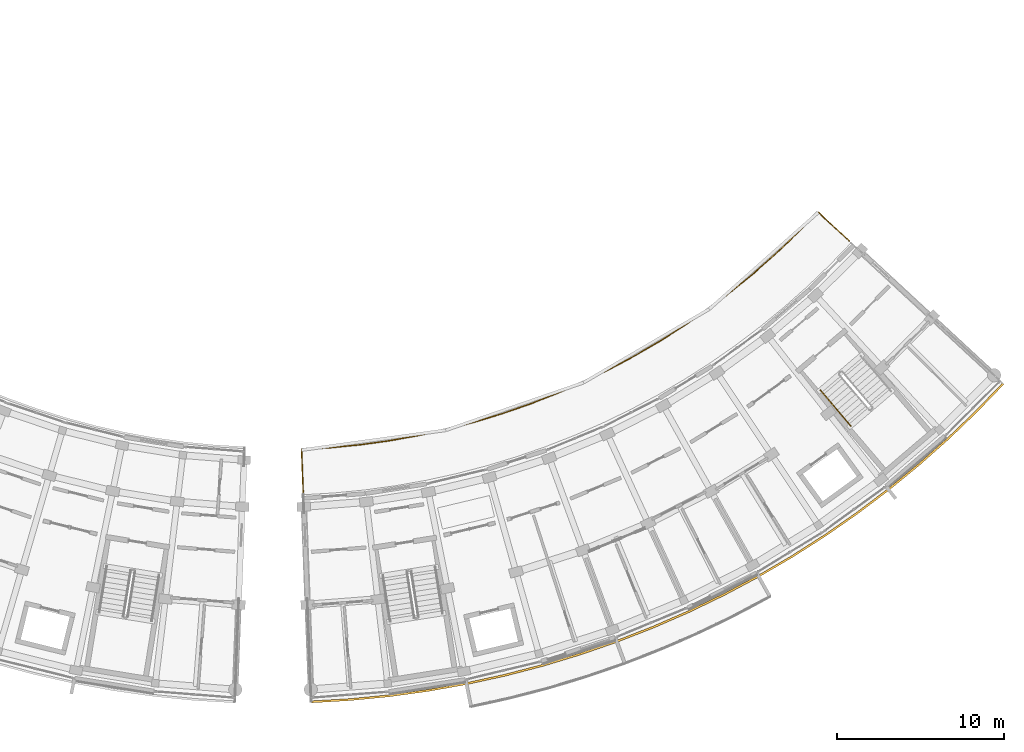
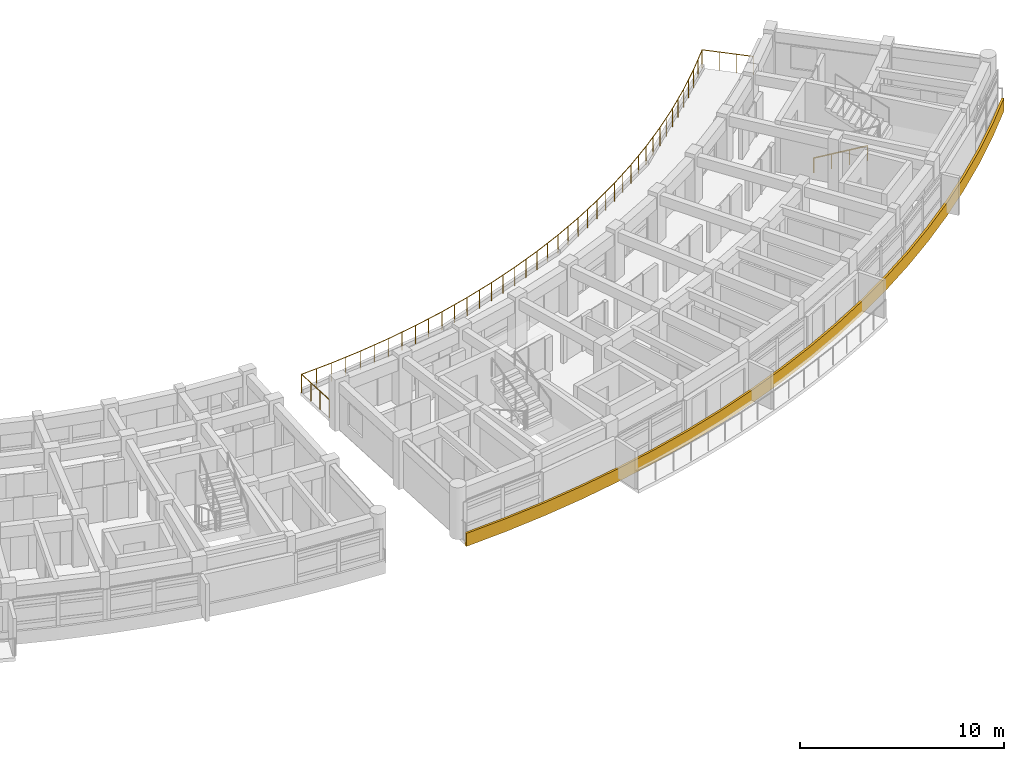
# One storey, part 53 of 54: 3 railings.
"""IFC4 building model written with IfcOpenShell, lengths in metres."""

from ifc_helpers import new_model, si_unit, direction, frame, origin, origin_2d, place, context, subcontext, project, spatial, polyline, circle, outline, extrude, material, type_object, element, save


model = new_model("IFC4")

# Units and contexts
model_context = context("Model", 3, precision=1e-05, world=origin(), true_north=direction((0.0, 1.0)))
body_context = subcontext(model_context, "Body", "Model", "MODEL_VIEW")
ifc_project = project(units=[si_unit("LENGTHUNIT", "METRE"), si_unit("AREAUNIT", "SQUARE_METRE"), si_unit("VOLUMEUNIT", "CUBIC_METRE"), si_unit("PLANEANGLEUNIT", "RADIAN"), si_unit("MASSUNIT", "GRAM", prefix="KILO")], contexts=[model_context])

# Site, building, storey
site_placement = place(None, origin())
site = spatial("IfcSite", under=ifc_project, at=site_placement, CompositionType="ELEMENT")
building_placement = place(site_placement, origin())
building = spatial("IfcBuilding", under=site, at=building_placement, Name="Zimvara Arc Housing Community", CompositionType="ELEMENT")
storey_placement = place(building_placement, frame((0.0, 0.0, 20.5)))
storey = spatial("IfcBuildingStorey", under=building, at=storey_placement, Name="L06", CompositionType="ELEMENT", Elevation=20.5)

# Railings
ifc_material_1 = material(Name="Anodised Aluminium AW-6063", Category="aluminium")
railing_type_1 = type_object("IfcRailingType", Name="RLG-BAL-1120", PredefinedType="BALUSTRADE", material=ifc_material_1)
railing_1_placement = place(storey_placement, frame((127.7861328125, 62.8447265625, 0.0)))
element("IfcRailing", 1, at=railing_1_placement, inside=storey, type_object=railing_type_1, Name="rlg:blkD:L06:terr_guard", PredefinedType="BALUSTRADE", context=body_context, shape_type="SweptSolid", body=[
    extrude(circle(Radius=0.02392578125, at=origin_2d()), frame((0.0, 0.0, 1.09619140625), z_axis=(-0.038378397593, 0.999263277919, 0.0), x_axis=(-0.999263277919, -0.038378397593, 0.0)), (0.0, 0.0, 1.0), 2.570068359375),
    extrude(circle(Radius=0.02392578125, at=origin_2d()), frame((-0.0986328125, 2.568115234375, 1.09619140625), z_axis=(0.998316052941, 0.058009123771, 0.0), x_axis=(-0.058009123771, 0.998316052941, 0.0)), (0.0, 0.0, 1.0), 1.74658203125),
    extrude(circle(Radius=0.02392578125, at=origin_2d()), frame((1.64501953125, 2.66943359375, 1.09619140625), z_axis=(0.995269690324, 0.097150622862, 0.0), x_axis=(-0.097150622862, 0.995269690324, 0.0)), (0.0, 0.0, 1.0), 1.74658203125),
    extrude(circle(Radius=0.02392578125, at=origin_2d()), frame((3.38330078125, 2.839111328125, 1.09619140625), z_axis=(0.990690153493, 0.136136034072, 0.0), x_axis=(-0.136136034072, 0.990690153493, 0.0)), (0.0, 0.0, 1.0), 1.746826171875),
    extrude(circle(Radius=0.02392578125, at=origin_2d()), frame((5.11376953125, 3.076904296875, 1.09619140625), z_axis=(0.984593004344, 0.174861704775, 0.0), x_axis=(-0.174861704775, 0.984593004344, 0.0)), (0.0, 0.0, 1.0), 1.74658203125),
    extrude(circle(Radius=0.02392578125, at=origin_2d()), frame((6.83349609375, 3.38232421875, 1.09619140625), z_axis=(0.976953789783, 0.213450913864, 0.0), x_axis=(-0.213450913864, 0.976953789783, 0.0)), (0.0, 0.0, 1.0), 1.74658203125),
    extrude(circle(Radius=0.02392578125, at=origin_2d()), frame((8.539794921875, 3.755126953125, 1.09619140625), z_axis=(0.967796631138, 0.251733352496, 0.0), x_axis=(-0.251733352496, 0.967796631138, 0.0)), (0.0, 0.0, 1.0), 1.74658203125),
    extrude(circle(Radius=0.02392578125, at=origin_2d()), frame((10.230224609375, 4.19482421875, 1.09619140625), z_axis=(0.957224033051, 0.289347802047, 0.0), x_axis=(-0.289347802047, 0.957224033051, 0.0)), (0.0, 0.0, 1.0), 1.74658203125),
    extrude(circle(Radius=0.02392578125, at=origin_2d()), frame((11.902099609375, 4.7001953125, 1.09619140625), z_axis=(0.945087404608, 0.326817682587, 0.0), x_axis=(-0.326817682587, 0.945087404608, 0.0)), (0.0, 0.0, 1.0), 1.74658203125),
    extrude(circle(Radius=0.02392578125, at=origin_2d()), frame((13.552734375, 5.27099609375, 1.09619140625), z_axis=(0.931510635085, 0.363714086508, 0.0), x_axis=(-0.363714086508, 0.931510635085, 0.0)), (0.0, 0.0, 1.0), 1.74658203125),
    extrude(circle(Radius=0.02392578125, at=origin_2d()), frame((15.1796875, 5.90625, 1.09619140625), z_axis=(0.916551489037, 0.399916701256, 0.0), x_axis=(-0.399916701256, 0.916551489037, 0.0)), (0.0, 0.0, 1.0), 1.74658203125),
    extrude(circle(Radius=0.02392578125, at=origin_2d()), frame((16.780517578125, 6.604736328125, 1.09619140625), z_axis=(0.900111517181, 0.435659565071, 0.0), x_axis=(-0.435659565071, 0.900111517181, 0.0)), (0.0, 0.0, 1.0), 1.746826171875),
    extrude(circle(Radius=0.02392578125, at=origin_2d()), frame((18.352783203125, 7.36572265625, 1.09619140625), z_axis=(0.882318113621, 0.470653531141, 0.0), x_axis=(-0.470653531141, 0.882318113621, 0.0)), (0.0, 0.0, 1.0), 1.74658203125),
    extrude(circle(Radius=0.02392578125, at=origin_2d()), frame((19.893798828125, 8.187744140625, 1.09619140625), z_axis=(0.863210588045, 0.504844016195, 0.0), x_axis=(-0.504844016195, 0.863210588045, 0.0)), (0.0, 0.0, 1.0), 1.746826171875),
    extrude(circle(Radius=0.02392578125, at=origin_2d()), frame((21.401611328125, 9.069580078125, 1.09619140625), z_axis=(0.842646928061, 0.538466484222, 0.0), x_axis=(-0.538466484222, 0.842646928061, 0.0)), (0.0, 0.0, 1.0), 1.74658203125),
    extrude(circle(Radius=0.02392578125, at=origin_2d()), frame((22.873291015625, 10.010009765625, 1.09619140625), z_axis=(0.820942237952, 0.571011245026, 0.0), x_axis=(-0.571011245026, 0.820942237952, 0.0)), (0.0, 0.0, 1.0), 1.74658203125),
    extrude(circle(Radius=0.02392578125, at=origin_2d()), frame((24.30712890625, 11.00732421875, 1.09619140625), z_axis=(0.797847901473, 0.602858794508, 0.0), x_axis=(-0.602858794508, 0.797847901473, 0.0)), (0.0, 0.0, 1.0), 1.74658203125),
    extrude(circle(Radius=0.02392578125, at=origin_2d()), frame((25.70068359375, 12.060302734375, 1.09619140625), z_axis=(0.773533639109, 0.633755243896, 0.0), x_axis=(-0.633755243896, 0.773533639109, 0.0)), (0.0, 0.0, 1.0), 1.74658203125),
    extrude(circle(Radius=0.02392578125, at=origin_2d()), frame((27.0517578125, 13.167236328125, 1.09619140625), z_axis=(0.748126121717, 0.663556558257, 0.0), x_axis=(-0.663556558257, 0.748126121717, 0.0)), (0.0, 0.0, 1.0), 1.74658203125),
    extrude(circle(Radius=0.02392578125, at=origin_2d()), frame((28.3583984375, 14.326171875, 1.09619140625), z_axis=(0.721426426877, 0.692491090631, 0.0), x_axis=(-0.692491090631, 0.721426426877, 0.0)), (0.0, 0.0, 1.0), 1.74658203125),
    extrude(circle(Radius=0.02392578125, at=origin_2d()), frame((29.618408203125, 15.53564453125, 1.09619140625), z_axis=(0.693703464082, 0.720260719407, 0.0), x_axis=(-0.720260719407, 0.693703464082, 0.0)), (0.0, 0.0, 1.0), 1.74658203125),
    extrude(circle(Radius=0.02392578125, at=origin_2d()), frame((30.830078125, 16.793701171875, 1.09619140625), z_axis=(0.733753657983, -0.679415608738, 0.0), x_axis=(0.679415608738, 0.733753657983, 0.0)), (0.0, 0.0, 1.0), 2.570068359375),
    extrude(circle(Radius=0.02099609375, at=origin_2d()), origin(), (0.0, 0.0, 1.0), 1.072021484375),
    extrude(circle(Radius=0.02099609375, at=origin_2d()), frame((-0.032958984375, 0.85595703125, 0.0)), (0.0, 0.0, 1.0), 1.072021484375),
    extrude(circle(Radius=0.02099609375, at=origin_2d()), frame((-0.065673828125, 1.712158203125, 0.0)), (0.0, 0.0, 1.0), 1.072021484375),
    extrude(circle(Radius=0.02099609375, at=origin_2d()), frame((-0.0986328125, 2.568115234375, 0.0)), (0.0, 0.0, 1.0), 1.072021484375),
    extrude(circle(Radius=0.02099609375, at=origin_2d()), frame((0.773193359375, 2.61865234375, 0.0)), (0.0, 0.0, 1.0), 1.072021484375),
    extrude(circle(Radius=0.02099609375, at=origin_2d()), frame((1.64501953125, 2.66943359375, 0.0)), (0.0, 0.0, 1.0), 1.072021484375),
    extrude(circle(Radius=0.02099609375, at=origin_2d()), frame((2.51416015625, 2.75439453125, 0.0)), (0.0, 0.0, 1.0), 1.072021484375),
    extrude(circle(Radius=0.02099609375, at=origin_2d()), frame((3.38330078125, 2.839111328125, 0.0)), (0.0, 0.0, 1.0), 1.072021484375),
    extrude(circle(Radius=0.02099609375, at=origin_2d()), frame((4.24853515625, 2.9580078125, 0.0)), (0.0, 0.0, 1.0), 1.072021484375),
    extrude(circle(Radius=0.02099609375, at=origin_2d()), frame((5.11376953125, 3.076904296875, 0.0)), (0.0, 0.0, 1.0), 1.072021484375),
    extrude(circle(Radius=0.02099609375, at=origin_2d()), frame((5.9736328125, 3.2294921875, 0.0)), (0.0, 0.0, 1.0), 1.072021484375),
    extrude(circle(Radius=0.02099609375, at=origin_2d()), frame((6.83349609375, 3.38232421875, 0.0)), (0.0, 0.0, 1.0), 1.072021484375),
    extrude(circle(Radius=0.02099609375, at=origin_2d()), frame((7.6865234375, 3.56884765625, 0.0)), (0.0, 0.0, 1.0), 1.072021484375),
    extrude(circle(Radius=0.02099609375, at=origin_2d()), frame((8.539794921875, 3.755126953125, 0.0)), (0.0, 0.0, 1.0), 1.072021484375),
    extrude(circle(Radius=0.02099609375, at=origin_2d()), frame((9.385009765625, 3.97509765625, 0.0)), (0.0, 0.0, 1.0), 1.072021484375),
    extrude(circle(Radius=0.02099609375, at=origin_2d()), frame((10.230224609375, 4.19482421875, 0.0)), (0.0, 0.0, 1.0), 1.072021484375),
    extrude(circle(Radius=0.02099609375, at=origin_2d()), frame((11.066162109375, 4.447509765625, 0.0)), (0.0, 0.0, 1.0), 1.072021484375),
    extrude(circle(Radius=0.02099609375, at=origin_2d()), frame((11.902099609375, 4.7001953125, 0.0)), (0.0, 0.0, 1.0), 1.072021484375),
    extrude(circle(Radius=0.02099609375, at=origin_2d()), frame((12.7275390625, 4.985595703125, 0.0)), (0.0, 0.0, 1.0), 1.072021484375),
    extrude(circle(Radius=0.02099609375, at=origin_2d()), frame((13.552734375, 5.27099609375, 0.0)), (0.0, 0.0, 1.0), 1.072021484375),
    extrude(circle(Radius=0.02099609375, at=origin_2d()), frame((14.3662109375, 5.588623046875, 0.0)), (0.0, 0.0, 1.0), 1.072021484375),
    extrude(circle(Radius=0.02099609375, at=origin_2d()), frame((15.1796875, 5.90625, 0.0)), (0.0, 0.0, 1.0), 1.072021484375),
    extrude(circle(Radius=0.02099609375, at=origin_2d()), frame((15.97998046875, 6.25537109375, 0.0)), (0.0, 0.0, 1.0), 1.072021484375),
    extrude(circle(Radius=0.02099609375, at=origin_2d()), frame((16.780517578125, 6.604736328125, 0.0)), (0.0, 0.0, 1.0), 1.072021484375),
    extrude(circle(Radius=0.02099609375, at=origin_2d()), frame((17.566650390625, 6.9853515625, 0.0)), (0.0, 0.0, 1.0), 1.072021484375),
    extrude(circle(Radius=0.02099609375, at=origin_2d()), frame((18.352783203125, 7.36572265625, 0.0)), (0.0, 0.0, 1.0), 1.072021484375),
    extrude(circle(Radius=0.02099609375, at=origin_2d()), frame((19.123291015625, 7.77685546875, 0.0)), (0.0, 0.0, 1.0), 1.072021484375),
    extrude(circle(Radius=0.02099609375, at=origin_2d()), frame((19.893798828125, 8.187744140625, 0.0)), (0.0, 0.0, 1.0), 1.072021484375),
    extrude(circle(Radius=0.02099609375, at=origin_2d()), frame((20.647705078125, 8.628662109375, 0.0)), (0.0, 0.0, 1.0), 1.072021484375),
    extrude(circle(Radius=0.02099609375, at=origin_2d()), frame((21.401611328125, 9.069580078125, 0.0)), (0.0, 0.0, 1.0), 1.072021484375),
    extrude(circle(Radius=0.02099609375, at=origin_2d()), frame((22.137451171875, 9.539794921875, 0.0)), (0.0, 0.0, 1.0), 1.072021484375),
    extrude(circle(Radius=0.02099609375, at=origin_2d()), frame((22.873291015625, 10.010009765625, 0.0)), (0.0, 0.0, 1.0), 1.072021484375),
    extrude(circle(Radius=0.02099609375, at=origin_2d()), frame((23.59033203125, 10.5087890625, 0.0)), (0.0, 0.0, 1.0), 1.072021484375),
    extrude(circle(Radius=0.02099609375, at=origin_2d()), frame((24.30712890625, 11.00732421875, 0.0)), (0.0, 0.0, 1.0), 1.072021484375),
    extrude(circle(Radius=0.02099609375, at=origin_2d()), frame((25.00390625, 11.53369140625, 0.0)), (0.0, 0.0, 1.0), 1.072021484375),
    extrude(circle(Radius=0.02099609375, at=origin_2d()), frame((25.70068359375, 12.060302734375, 0.0)), (0.0, 0.0, 1.0), 1.072021484375),
    extrude(circle(Radius=0.02099609375, at=origin_2d()), frame((26.376220703125, 12.61376953125, 0.0)), (0.0, 0.0, 1.0), 1.072021484375),
    extrude(circle(Radius=0.02099609375, at=origin_2d()), frame((27.0517578125, 13.167236328125, 0.0)), (0.0, 0.0, 1.0), 1.072021484375),
    extrude(circle(Radius=0.02099609375, at=origin_2d()), frame((27.705078125, 13.74658203125, 0.0)), (0.0, 0.0, 1.0), 1.072021484375),
    extrude(circle(Radius=0.02099609375, at=origin_2d()), frame((28.3583984375, 14.326171875, 0.0)), (0.0, 0.0, 1.0), 1.072021484375),
    extrude(circle(Radius=0.02099609375, at=origin_2d()), frame((28.98828125, 14.930908203125, 0.0)), (0.0, 0.0, 1.0), 1.072021484375),
    extrude(circle(Radius=0.02099609375, at=origin_2d()), frame((29.618408203125, 15.53564453125, 0.0)), (0.0, 0.0, 1.0), 1.072021484375),
    extrude(circle(Radius=0.02099609375, at=origin_2d()), frame((30.22412109375, 16.16455078125, 0.0)), (0.0, 0.0, 1.0), 1.072021484375),
    extrude(circle(Radius=0.02099609375, at=origin_2d()), frame((30.830078125, 16.793701171875, 0.0)), (0.0, 0.0, 1.0), 1.072021484375),
    extrude(circle(Radius=0.02099609375, at=origin_2d()), frame((31.458740234375, 16.211669921875, 0.0)), (0.0, 0.0, 1.0), 1.072021484375),
    extrude(circle(Radius=0.02099609375, at=origin_2d()), frame((32.087158203125, 15.629638671875, 0.0)), (0.0, 0.0, 1.0), 1.072021484375),
    extrude(circle(Radius=0.02099609375, at=origin_2d()), frame((32.7158203125, 15.047607421875, 0.0)), (0.0, 0.0, 1.0), 1.072021484375),
])
ifc_material_2 = material(Name="Pale-Gold Anodised Aluminium AW-6063", Category="aluminium")
railing_type_2 = type_object("IfcRailingType", Name="RLG-FAS-780", PredefinedType="BALUSTRADE", material=ifc_material_2)
railing_2_placement = place(storey_placement, frame((0.0, 0.0, -0.219970703125)))
element("IfcRailing", 2, at=railing_2_placement, inside=storey, type_object=railing_type_2, Name="rlg:blkD:L06:gold_out", PredefinedType="BALUSTRADE", context=body_context, shape_type="SweptSolid", body=[
    extrude(outline(polyline([(128.27099609375, 50.223876953125), (130.610595703125, 50.35986328125), (132.94287109375, 50.587646484375), (135.2646484375, 50.90673828125), (137.572021484375, 51.316650390625), (139.861328125, 51.81689453125), (142.12939453125, 52.406494140625), (144.37255859375, 53.0849609375), (146.58740234375, 53.850830078125), (148.7705078125, 54.702880859375), (150.918212890625, 55.64013671875), (153.02783203125, 56.6611328125), (155.095458984375, 57.763916015625), (157.118408203125, 58.947265625), (159.093017578125, 60.208984375), (161.016845703125, 61.54736328125), (162.88671875, 62.9599609375), (164.699462890625, 64.445068359375), (166.45263671875, 66.000244140625), (168.143310546875, 67.623046875), (169.76904296875, 69.31103515625), (169.680908203125, 69.392578125), (168.05859375, 67.7080078125), (166.37109375, 66.08837890625), (164.62158203125, 64.536376953125), (162.8125, 63.054443359375), (160.946533203125, 61.64453125), (159.026611328125, 60.308837890625), (157.0556640625, 59.049560546875), (155.036865234375, 57.86865234375), (152.973388671875, 56.76806640625), (150.8681640625, 55.749267578125), (148.724609375, 54.81396484375), (146.5458984375, 53.96337890625), (144.335693359375, 53.198974609375), (142.096923828125, 52.52197265625), (139.83349609375, 51.93359375), (137.548583984375, 51.434326171875), (135.245849609375, 51.025146484375), (132.928955078125, 50.706787109375), (130.601318359375, 50.4794921875), (128.266357421875, 50.343994140625), (128.27099609375, 50.223876953125)])), origin(), (0.0, 0.0, 1.0), 0.780029296875),
])
ifc_material_3 = material(Name="Anodised Aluminium AW-6063", Category="aluminium")
railing_type_3 = type_object("IfcRailingType", Name="RLG-HND-900", PredefinedType="HANDRAIL", material=ifc_material_3)
railing_3_placement = place(storey_placement, frame((158.766357421875, 68.953369140625, 0.155029296875)))
element("IfcRailing", 3, at=railing_3_placement, inside=storey, type_object=railing_type_3, Name="L06 ST-D2 stair handrail 1", PredefinedType="HANDRAIL", context=body_context, shape_type="SweptSolid", body=[
    extrude(circle(Radius=0.02392578125, at=origin_2d()), frame((0.0, 0.0, 0.8759765625), z_axis=(0.581041388364, -0.681489443978, 0.444930379672), x_axis=(0.760960200111, 0.648798561841, 0.0)), (0.0, 0.0, 1.0), 3.13525390625),
    extrude(circle(Radius=0.02099609375, at=origin_2d()), origin(), (0.0, 0.0, 1.0), 0.851806640625),
    extrude(circle(Radius=0.02099609375, at=origin_2d()), frame((0.607177734375, -0.712158203125, 0.465087890625)), (0.0, 0.0, 1.0), 0.851806640625),
    extrude(circle(Radius=0.02099609375, at=origin_2d()), frame((1.214599609375, -1.424560546875, 0.929931640625)), (0.0, 0.0, 1.0), 0.851806640625),
    extrude(circle(Radius=0.02099609375, at=origin_2d()), frame((1.82177734375, -2.13671875, 1.39501953125)), (0.0, 0.0, 1.0), 0.851806640625),
])

save(model, "model.ifc")
